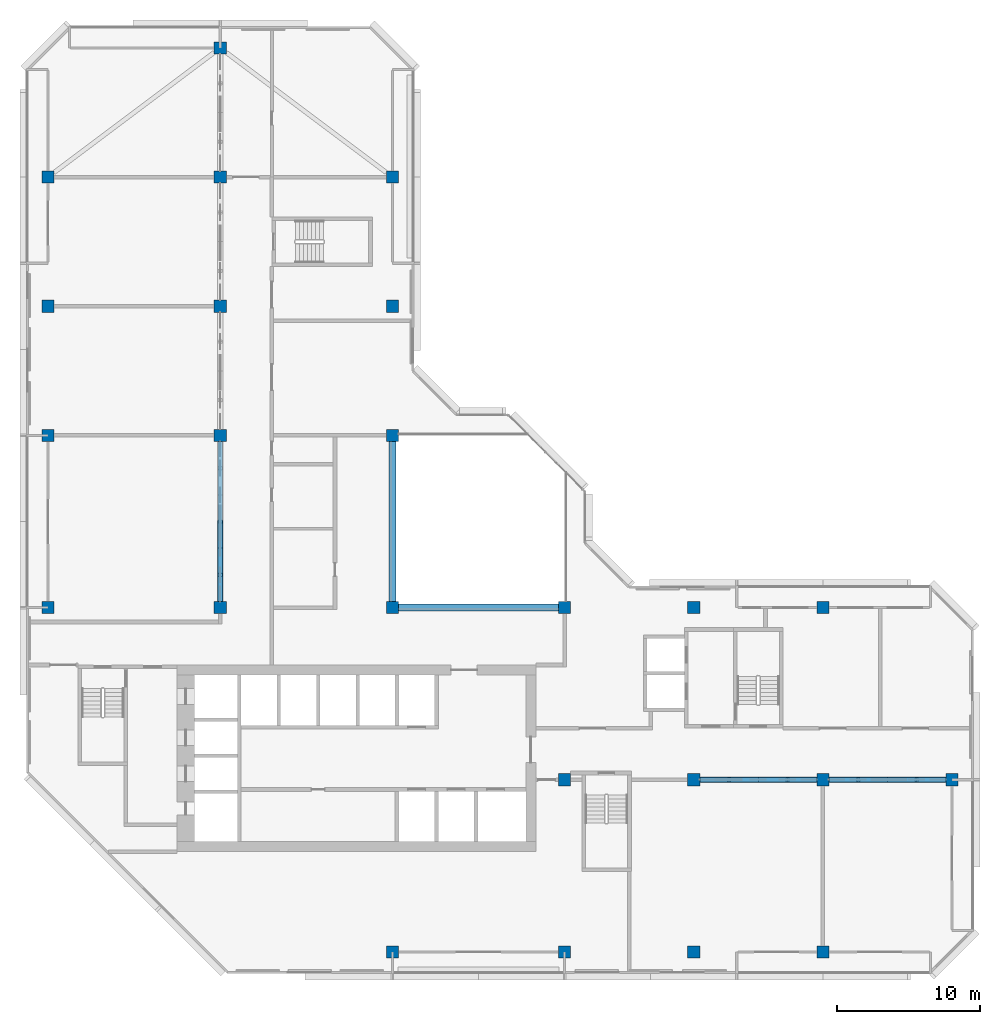
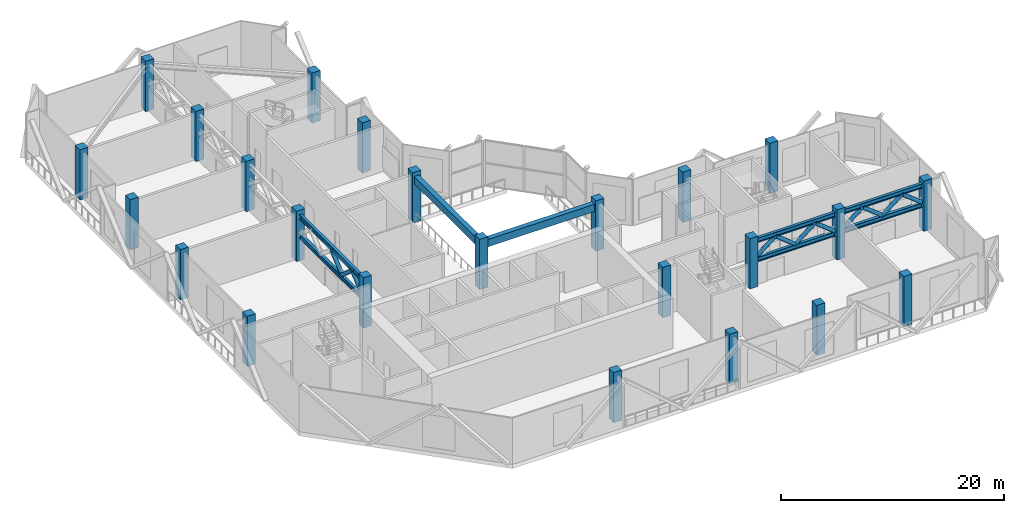
# One storey, part 1 of 14: 24 columns, 11 members, 8 beams.
"""IFC4 building model written with IfcOpenShell, lengths in metres."""

from ifc_helpers import new_model, si_unit, direction, frame, origin, origin_2d, place, context, subcontext, project, spatial, rectangle, hollow_circle, i_section, extrude, material, material_profile, profile_set, type_object, element, save


model = new_model("IFC4")

# Units and contexts
model_context = context("Model", 3, precision=1e-05, world=origin(), true_north=direction((0.0, 1.0)))
body_context = subcontext(model_context, "Body", "Model", "MODEL_VIEW")
ifc_project = project(units=[si_unit("LENGTHUNIT", "METRE"), si_unit("AREAUNIT", "SQUARE_METRE"), si_unit("VOLUMEUNIT", "CUBIC_METRE"), si_unit("PLANEANGLEUNIT", "RADIAN"), si_unit("MASSUNIT", "GRAM", prefix="KILO")], contexts=[model_context])

# Site, building, storey
site_placement = place(None, origin())
site = spatial("IfcSite", under=ifc_project, at=site_placement, CompositionType="ELEMENT")
building_placement = place(site_placement, origin())
building = spatial("IfcBuilding", under=site, at=building_placement, Name="Chenar Terraces", CompositionType="ELEMENT")
storey_placement = place(building_placement, frame((0.0, 0.0, 256.64990234375)))
storey = spatial("IfcBuildingStorey", under=building, at=storey_placement, Name="L61", CompositionType="ELEMENT", Elevation=256.64990234375)

# Columns
ifc_material_1 = material(Name="Concrete C60/75", Category="concrete")
ifc_material_profile_1 = material_profile(ifc_material_1, rectangle(XDim=0.85009765625, YDim=0.85009765625, at=origin_2d()), Name="C 850 x 850")
ifc_profile_set_1 = profile_set([ifc_material_profile_1], Name="Concrete C60/75")
column_type = type_object("IfcColumnType", Name="Column C 850 x 850 Concrete C60/75", PredefinedType="COLUMN", material=ifc_profile_set_1)
column_1_placement = place(storey_placement, frame((0.0, 24.0, 0.0), z_axis=(0.0, 0.0, 1.0), x_axis=(1.0, 0.0, 0.0)))
element("IfcColumn", 1, at=column_1_placement, inside=storey, type_object=column_type, Name="Column 5/G L61", PredefinedType="COLUMN", context=body_context, shape_type="SweptSolid", body=[
    extrude(rectangle(XDim=0.85009765625, YDim=0.85009765625, at=origin_2d()), origin(), (0.0, 0.0, 1.0), 5.5),
])
column_2_placement = place(storey_placement, frame((0.0, 36.0, 0.0), z_axis=(0.0, 0.0, 1.0), x_axis=(1.0, 0.0, 0.0)))
element("IfcColumn", 2, at=column_2_placement, inside=storey, type_object=column_type, Name="Column 5/H L61", PredefinedType="COLUMN", context=body_context, shape_type="SweptSolid", body=[
    extrude(rectangle(XDim=0.85009765625, YDim=0.85009765625, at=origin_2d()), origin(), (0.0, 0.0, 1.0), 5.5),
])
column_3_placement = place(storey_placement, frame((0.0, 45.0, 0.0), z_axis=(0.0, 0.0, 1.0), x_axis=(1.0, 0.0, 0.0)))
element("IfcColumn", 3, at=column_3_placement, inside=storey, type_object=column_type, Name="Column 5/J L61", PredefinedType="COLUMN", context=body_context, shape_type="SweptSolid", body=[
    extrude(rectangle(XDim=0.85009765625, YDim=0.85009765625, at=origin_2d()), origin(), (0.0, 0.0, 1.0), 5.5),
])
for number, where, z_axis, x_axis, name in (
    (4, (0.0, 54.0, 0.0), (0.0, 0.0, 1.0), (1.0, 0.0, 0.0), "Column 5/K L61"),
    (5, (12.0, 24.0, 0.0), (0.0, 0.0, 1.0), (1.0, 0.0, 0.0), "Column 6/G L61"),
    (6, (12.0, 36.0, 0.0), (0.0, 0.0, 1.0), (1.0, 0.0, 0.0), "Column 6/H L61"),
    (7, (12.0, 45.0, 0.0), (0.0, 0.0, 1.0), (1.0, 0.0, 0.0), "Column 6/J L61"),
    (8, (12.0, 54.0, 0.0), (0.0, 0.0, 1.0), (1.0, 0.0, 0.0), "Column 6/K L61"),
    (9, (12.0, 63.0, 0.0), (0.0, 0.0, 1.0), (1.0, 0.0, 0.0), "Column 6/L L61"),
    (10, (24.0, 0.0, 0.0), (0.0, 0.0, 1.0), (1.0, 0.0, 0.0), "Column 7/E L61"),
    (11, (24.0, 24.0, 0.0), (0.0, 0.0, 1.0), (1.0, 0.0, 0.0), "Column 7/G L61"),
    (12, (24.0, 36.0, 0.0), (0.0, 0.0, 1.0), (1.0, 0.0, 0.0), "Column 7/H L61"),
    (13, (24.0, 45.0, 0.0), (0.0, 0.0, 1.0), (1.0, 0.0, 0.0), "Column 7/J L61"),
    (14, (24.0, 54.0, 0.0), (0.0, 0.0, 1.0), (1.0, 0.0, 0.0), "Column 7/K L61"),
    (15, (36.0, 0.0, 0.0), (0.0, 0.0, 1.0), (1.0, 0.0, 0.0), "Column 8/E L61"),
    (16, (36.0, 12.0, 0.0), (0.0, 0.0, 1.0), (1.0, 0.0, 0.0), "Column 8/F L61"),
    (17, (36.0, 24.0, 0.0), (0.0, 0.0, 1.0), (1.0, 0.0, 0.0), "Column 8/G L61"),
    (18, (45.0, 0.0, 0.0), (0.0, 0.0, 1.0), (1.0, 0.0, 0.0), "Column 9/E L61"),
    (19, (45.0, 12.0, 0.0), (0.0, 0.0, 1.0), (1.0, 0.0, 0.0), "Column 9/F L61"),
    (20, (45.0, 24.0, 0.0), (0.0, 0.0, 1.0), (1.0, 0.0, 0.0), "Column 9/G L61"),
    (21, (54.0, 0.0, 0.0), (0.0, 0.0, 1.0), (1.0, 0.0, 0.0), "Column 10/E L61"),
    (22, (54.0, 12.0, 0.0), (0.0, 0.0, 1.0), (1.0, 0.0, 0.0), "Column 10/F L61"),
    (23, (54.0, 24.0, 0.0), (0.0, 0.0, 1.0), (1.0, 0.0, 0.0), "Column 10/G L61"),
    (24, (63.0, 12.0, 0.0), (0.0, 0.0, 1.0), (1.0, 0.0, 0.0), "Column 11/F L61"),
):
    element("IfcColumn", number, at=place(storey_placement, frame(where, z_axis=z_axis, x_axis=x_axis)), inside=storey, type_object=column_type, Name=name, PredefinedType="COLUMN", context=body_context, shape_type="SweptSolid", body=[
        extrude(rectangle(XDim=0.85009765625, YDim=0.85009765625, at=origin_2d()), origin(), (0.0, 0.0, 1.0), 5.5),
    ])

# Beams
ifc_material_2 = material(Name="Concrete C40/50", Category="concrete")
ifc_material_profile_2 = material_profile(ifc_material_2, rectangle(XDim=0.5, YDim=0.800048828125, at=origin_2d()), Name="RC 500 x 800")
ifc_profile_set_2 = profile_set([ifc_material_profile_2], Name="Concrete C40/50")
beam_type_1 = type_object("IfcBeamType", Name="Atrium edge beam 500 x 800 Concrete C40/50", PredefinedType="BEAM", material=ifc_profile_set_2)
for number, where, z_axis, x_axis, name in (
    (25, (24.425048828125, 24.0, 4.650146484375), (1.0, 0.0, 0.0), (0.0, 1.0, 0.0), "Atrium edge beam L62 1"),
    (26, (24.0, 35.574951171875, 4.650146484375), (0.0, -1.0, 0.0), (1.0, 0.0, 0.0), "Atrium edge beam L62 4"),
):
    element("IfcBeam", number, at=place(storey_placement, frame(where, z_axis=z_axis, x_axis=x_axis)), inside=storey, type_object=beam_type_1, Name=name, PredefinedType="BEAM", context=body_context, shape_type="SweptSolid", body=[
        extrude(rectangle(XDim=0.5, YDim=0.800048828125, at=origin_2d()), origin(), (0.0, 0.0, 1.0), 11.14990234375),
    ])
ifc_material_3 = material(Name="Structural steel S355", Category="steel")
ifc_material_profile_3 = material_profile(ifc_material_3, i_section(OverallWidth=0.300048828125, OverallDepth=0.5, WebThickness=0.014404296875, FlangeThickness=0.028076171875, FilletRadius=0.027099609375, at=origin_2d()), Name="HEB 500")
ifc_profile_set_3 = profile_set([ifc_material_profile_3], Name="Structural steel S355")
beam_type_2 = type_object("IfcBeamType", Name="Belt truss chord HEB 500 S355", PredefinedType="BEAM", material=ifc_profile_set_3)
for number, where, z_axis, x_axis, name in (
    (27, (45.425048828125, 12.0, 4.800048828125), (1.0, 0.0, 0.0), (0.0, 1.0, 0.0), "Belt truss L61 A1 top chord"),
    (28, (45.425048828125, 12.0, 2.7001953125), (1.0, 0.0, 0.0), (0.0, 1.0, 0.0), "Belt truss L61 A1 bottom chord"),
    (29, (54.425048828125, 12.0, 4.800048828125), (1.0, 0.0, 0.0), (0.0, 1.0, 0.0), "Belt truss L61 A2 top chord"),
    (30, (54.425048828125, 12.0, 2.7001953125), (1.0, 0.0, 0.0), (0.0, 1.0, 0.0), "Belt truss L61 A2 bottom chord"),
):
    element("IfcBeam", number, at=place(storey_placement, frame(where, z_axis=z_axis, x_axis=x_axis)), inside=storey, type_object=beam_type_2, Name=name, PredefinedType="BEAM", context=body_context, shape_type="SweptSolid", body=[
        extrude(i_section(OverallWidth=0.300048828125, OverallDepth=0.5, WebThickness=0.014404296875, FlangeThickness=0.028076171875, FilletRadius=0.027099609375, at=origin_2d()), origin(), (0.0, 0.0, 1.0), 8.14990234375),
    ])
for number, where, z_axis, x_axis, name in (
    (31, (12.0, 24.425048828125, 4.800048828125), (0.0, 1.0, 0.0), (-1.0, 0.0, 0.0), "Belt truss L61 B1 top chord"),
    (32, (12.0, 24.425048828125, 2.7001953125), (0.0, 1.0, 0.0), (-1.0, 0.0, 0.0), "Belt truss L61 B1 bottom chord"),
):
    element("IfcBeam", number, at=place(storey_placement, frame(where, z_axis=z_axis, x_axis=x_axis)), inside=storey, type_object=beam_type_2, Name=name, PredefinedType="BEAM", context=body_context, shape_type="SweptSolid", body=[
        extrude(i_section(OverallWidth=0.300048828125, OverallDepth=0.5, WebThickness=0.014404296875, FlangeThickness=0.028076171875, FilletRadius=0.027099609375, at=origin_2d()), origin(), (0.0, 0.0, 1.0), 11.14990234375),
    ])

# Members
ifc_material_4 = material(Name="Structural steel S355", Category="steel")
ifc_material_profile_4 = material_profile(ifc_material_4, hollow_circle(Radius=0.203125, WallThickness=0.01611328125, at=origin_2d()), Name="CHS 406.4x16")
ifc_profile_set_4 = profile_set([ifc_material_profile_4], Name="Structural steel S355")
member_type = type_object("IfcMemberType", Name="Belt truss diagonal CHS 406.4x16 S355", PredefinedType="BRACE", material=ifc_profile_set_4)
member_1_placement = place(storey_placement, frame((45.425048828125, 12.0, 2.9501953125), z_axis=(0.786491639204, 0.0, 0.617600924111), x_axis=(0.0, 1.0, 0.0)))
element("IfcMember", 33, at=member_1_placement, inside=storey, type_object=member_type, Name="Belt truss L61 A1 diagonal 1", PredefinedType="BRACE", context=body_context, shape_type="SweptSolid", body=[
    extrude(hollow_circle(Radius=0.203125, WallThickness=0.01611328125, at=origin_2d()), origin(), (0.0, 0.0, 1.0), 2.59033203125),
])
for number, where, z_axis, x_axis, name in (
    (34, (47.46240234375, 12.0, 4.550048828125), (0.786527583945, 0.0, -0.617555147087), (0.0, 1.0, 0.0), "Belt truss L61 A1 diagonal 2"),
    (35, (49.5, 12.0, 2.9501953125), (0.786527583945, 0.0, 0.617555147087), (0.0, 1.0, 0.0), "Belt truss L61 A1 diagonal 3"),
):
    element("IfcMember", number, at=place(storey_placement, frame(where, z_axis=z_axis, x_axis=x_axis)), inside=storey, type_object=member_type, Name=name, PredefinedType="BRACE", context=body_context, shape_type="SweptSolid", body=[
        extrude(hollow_circle(Radius=0.203125, WallThickness=0.01611328125, at=origin_2d()), origin(), (0.0, 0.0, 1.0), 2.590576171875),
    ])
for number, where, z_axis, x_axis, name in (
    (36, (51.53759765625, 12.0, 4.550048828125), (0.786491639204, 0.0, -0.617600924111), (0.0, 1.0, 0.0), "Belt truss L61 A1 diagonal 4"),
    (37, (54.425048828125, 12.0, 2.9501953125), (0.786491639204, 0.0, 0.617600924111), (0.0, 1.0, 0.0), "Belt truss L61 A2 diagonal 1"),
):
    element("IfcMember", number, at=place(storey_placement, frame(where, z_axis=z_axis, x_axis=x_axis)), inside=storey, type_object=member_type, Name=name, PredefinedType="BRACE", context=body_context, shape_type="SweptSolid", body=[
        extrude(hollow_circle(Radius=0.203125, WallThickness=0.01611328125, at=origin_2d()), origin(), (0.0, 0.0, 1.0), 2.59033203125),
    ])
for number, where, z_axis, x_axis, name in (
    (38, (56.46240234375, 12.0, 4.550048828125), (0.786527583945, 0.0, -0.617555147087), (0.0, 1.0, 0.0), "Belt truss L61 A2 diagonal 2"),
    (39, (58.5, 12.0, 2.9501953125), (0.786527583945, 0.0, 0.617555147087), (0.0, 1.0, 0.0), "Belt truss L61 A2 diagonal 3"),
):
    element("IfcMember", number, at=place(storey_placement, frame(where, z_axis=z_axis, x_axis=x_axis)), inside=storey, type_object=member_type, Name=name, PredefinedType="BRACE", context=body_context, shape_type="SweptSolid", body=[
        extrude(hollow_circle(Radius=0.203125, WallThickness=0.01611328125, at=origin_2d()), origin(), (0.0, 0.0, 1.0), 2.590576171875),
    ])
member_2_placement = place(storey_placement, frame((60.53759765625, 12.0, 4.550048828125), z_axis=(0.786491639204, 0.0, -0.617600924111), x_axis=(0.0, 1.0, 0.0)))
element("IfcMember", 40, at=member_2_placement, inside=storey, type_object=member_type, Name="Belt truss L61 A2 diagonal 4", PredefinedType="BRACE", context=body_context, shape_type="SweptSolid", body=[
    extrude(hollow_circle(Radius=0.203125, WallThickness=0.01611328125, at=origin_2d()), origin(), (0.0, 0.0, 1.0), 2.59033203125),
])
member_3_placement = place(storey_placement, frame((12.0, 24.425048828125, 2.9501953125), z_axis=(0.0, 0.7578139305, 0.652470724815), x_axis=(-1.0, 0.0, 0.0)))
element("IfcMember", 41, at=member_3_placement, inside=storey, type_object=member_type, Name="Belt truss L61 B1 diagonal 1", PredefinedType="BRACE", context=body_context, shape_type="SweptSolid", body=[
    extrude(hollow_circle(Radius=0.203125, WallThickness=0.01611328125, at=origin_2d()), origin(), (0.0, 0.0, 1.0), 2.451904296875),
])
for number, where, z_axis, x_axis, name in (
    (42, (12.0, 26.283203125, 4.550048828125), (0.0, 0.757856313702, -0.652421495493), (-1.0, 0.0, 0.0), "Belt truss L61 B1 diagonal 2"),
    (43, (12.0, 28.1416015625, 2.9501953125), (0.0, 0.757856313702, 0.652421495493), (-1.0, 0.0, 0.0), "Belt truss L61 B1 diagonal 3"),
):
    element("IfcMember", number, at=place(storey_placement, frame(where, z_axis=z_axis, x_axis=x_axis)), inside=storey, type_object=member_type, Name=name, PredefinedType="BRACE", context=body_context, shape_type="SweptSolid", body=[
        extrude(hollow_circle(Radius=0.203125, WallThickness=0.01611328125, at=origin_2d()), origin(), (0.0, 0.0, 1.0), 2.4521484375),
    ])

save(model, "model.ifc")
